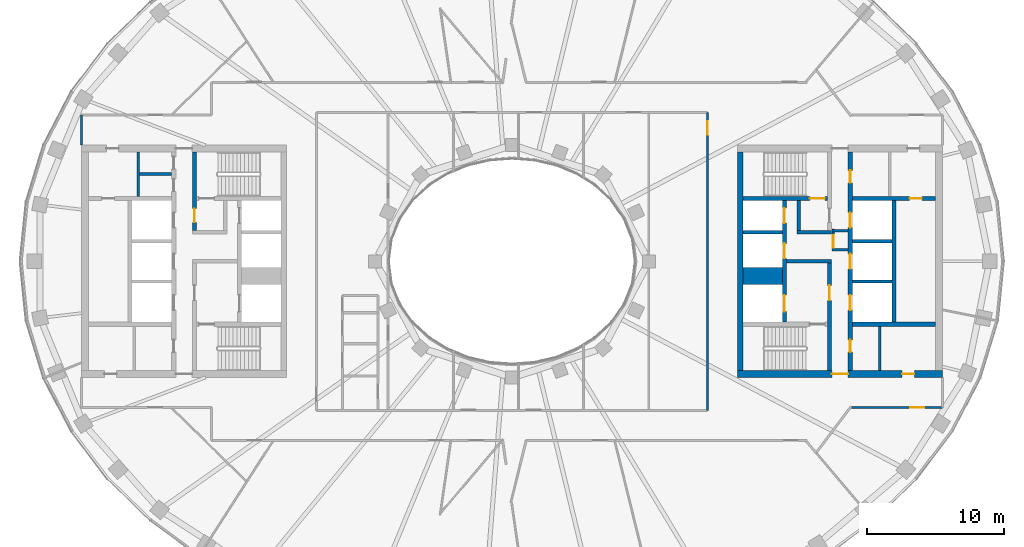
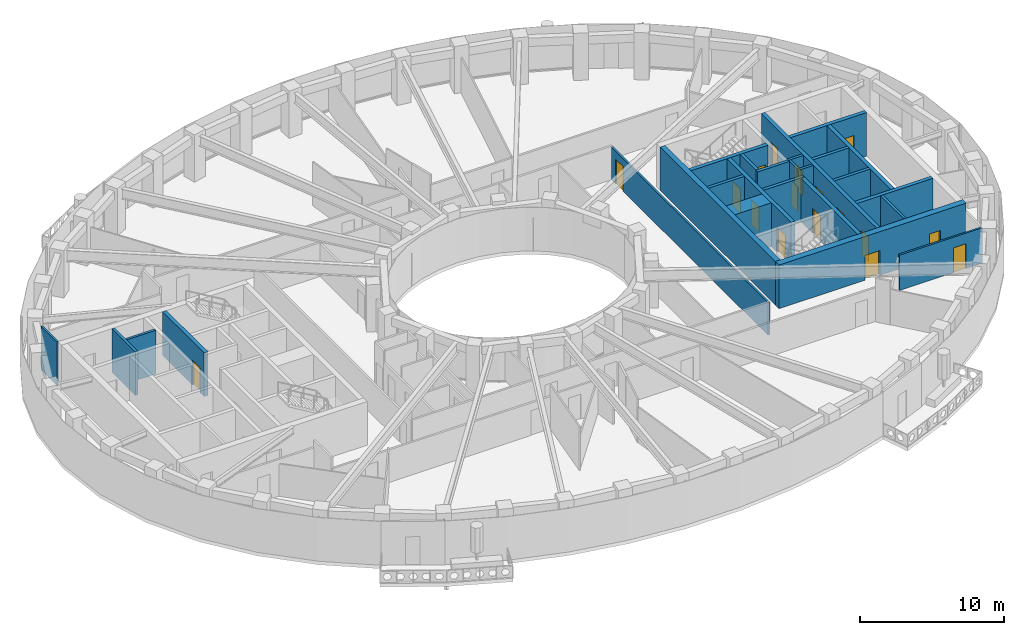
# One storey, part 5 of 15: 26 walls, 17 doors, 17 openings.
"""IFC4 building model written with IfcOpenShell, lengths in metres."""

from ifc_helpers import new_model, si_unit, direction, frame, frame_2d, origin, place, context, subcontext, project, spatial, rectangle, extrude, material, layer, layer_set, type_object, element, fill, save


model = new_model("IFC4")

# Units and contexts
model_context = context("Model", 3, precision=1e-05, world=origin(), true_north=direction((0.0, 1.0)))
body_context = subcontext(model_context, "Body", "Model", "MODEL_VIEW")
ifc_project = project(units=[si_unit("LENGTHUNIT", "METRE"), si_unit("AREAUNIT", "SQUARE_METRE"), si_unit("VOLUMEUNIT", "CUBIC_METRE"), si_unit("PLANEANGLEUNIT", "RADIAN"), si_unit("MASSUNIT", "GRAM", prefix="KILO")], contexts=[model_context])

# Site, building, storey
site_placement = place(None, origin())
site = spatial("IfcSite", under=ifc_project, at=site_placement, CompositionType="ELEMENT")
building_placement = place(site_placement, origin())
building = spatial("IfcBuilding", under=site, at=building_placement, Name="Noorbagh Ring Tower", CompositionType="ELEMENT")
storey_placement = place(building_placement, frame((0.0, 0.0, 265.5)))
storey = spatial("IfcBuildingStorey", under=building, at=storey_placement, Name="L56", CompositionType="ELEMENT", Elevation=265.5)

# Walls
ifc_material_1 = material(Name="Gypsum board on steel studs", Category="steel")
ifc_layer_1 = layer(ifc_material_1, 0.199951171875)
ifc_layer_set_1 = layer_set([ifc_layer_1], Name="Gypsum board on steel studs")
wall_type_1 = type_object("IfcWallType", Name="CORE-PARTITION-200", PredefinedType="PARTITIONING", material=ifc_layer_set_1)
wall_1_placement = place(storey_placement, frame((-27.35009765625, 4.75, 0.0), z_axis=(0.0, 0.0, 1.0), x_axis=(0.0, 1.0, 0.0)))
element("IfcWall", 1, at=wall_1_placement, inside=storey, type_object=wall_type_1, Name="Core partition W", PredefinedType="PARTITIONING", context=body_context, shape_type="SweptSolid", body=[
    extrude(rectangle(XDim=3.25, YDim=0.199951171875, at=frame_2d((1.625, 0.0))), origin(), (0.0, 0.0, 1.0), 3.699951171875),
])
wall_2_placement = place(storey_placement, frame((-24.89990234375, 6.39990234375, 0.0), z_axis=(0.0, 0.0, 1.0), x_axis=(-1.0, 0.0, 0.0)))
element("IfcWall", 2, at=wall_2_placement, inside=storey, type_object=wall_type_1, Name="Core partition W", PredefinedType="PARTITIONING", context=body_context, shape_type="SweptSolid", body=[
    extrude(rectangle(XDim=2.35009765625, YDim=0.199951171875, at=frame_2d((1.175048828125, 0.0))), origin(), (0.0, 0.0, 1.0), 3.699951171875),
])
for number, where, z_axis, x_axis, name in (
    (3, (23.39990234375, 0.85009765625, 0.0), (0.0, 0.0, 1.0), (1.0, 0.0, 0.0), "Core partition E"),
    (4, (23.39990234375, 2.25, 0.0), (0.0, 0.0, 1.0), (1.0, 0.0, 0.0), "Core partition E"),
):
    element("IfcWall", number, at=place(storey_placement, frame(where, z_axis=z_axis, x_axis=x_axis)), inside=storey, type_object=wall_type_1, Name=name, PredefinedType="PARTITIONING", context=body_context, shape_type="SweptSolid", body=[
        extrude(rectangle(XDim=1.2001953125, YDim=0.199951171875, at=frame_2d((0.60009765625, 0.0))), origin(), (0.0, 0.0, 1.0), 3.699951171875),
    ])

# Wall, opening, door
wall_3_placement = place(storey_placement, frame((23.5, 0.75, 0.0), z_axis=(0.0, 0.0, 1.0), x_axis=(0.0, 1.0, 0.0)))
wall_3 = element("IfcWall", 5, at=wall_3_placement, inside=storey, type_object=wall_type_1, Name="Core partition E", PredefinedType="PARTITIONING", context=body_context, shape_type="SweptSolid", body=[
    extrude(rectangle(XDim=1.60009765625, YDim=0.199951171875, at=frame_2d((0.800048828125, 0.0))), origin(), (0.0, 0.0, 1.0), 3.699951171875),
])
opening_1_placement = place(wall_3_placement, frame((0.25, 0.0, 0.0)))
opening_1 = element("IfcOpeningElement", 6, at=opening_1_placement, cuts=wall_3, Name="Opening L56-CE17", PredefinedType="OPENING", context=body_context, shape_type="SweptSolid", body=[
    extrude(rectangle(XDim=0.89990234375, YDim=2.10009765625, at=frame_2d((0.449951171875, 1.050048828125))), frame((0.0, 0.10986328125, 0.0), z_axis=(0.0, -1.0, 0.0), x_axis=(1.0, 0.0, 0.0)), (0.0, 0.0, 1.0), 0.219970703125),
])
ifc_material_2 = material(Name="Steel door leaf", Category="steel")
door_type_1 = type_object("IfcDoorType", Name="CORE-DOOR-DROOM", OperationType="SINGLE_SWING_LEFT", PredefinedType="DOOR", material=ifc_material_2)
door_1_placement = place(opening_1_placement, origin())
door_1 = element("IfcDoor", 7, at=door_1_placement, inside=storey, type_object=door_type_1, Name="Core room door L56-CE17", OperationType="SINGLE_SWING_LEFT", OverallHeight=2.10009765625, OverallWidth=0.89990234375, PredefinedType="DOOR", context=body_context, shape_type="SweptSolid", body=[
    extrude(rectangle(XDim=0.89990234375, YDim=2.10009765625, at=frame_2d((0.449951171875, 1.050048828125))), frame((0.0, 0.02490234375, 0.0), z_axis=(0.0, -1.0, 0.0), x_axis=(1.0, 0.0, 0.0)), (0.0, 0.0, 1.0), 0.050048828125),
])
fill(opening_1, door_1)

# Walls
wall_4_placement = place(storey_placement, frame((26.89990234375, -8.0, 0.0), z_axis=(0.0, 0.0, 1.0), x_axis=(0.0, 1.0, 0.0)))
element("IfcWall", 8, at=wall_4_placement, inside=storey, type_object=wall_type_1, Name="Core partition E", PredefinedType="PARTITIONING", context=body_context, shape_type="SweptSolid", body=[
    extrude(rectangle(XDim=3.25, YDim=0.199951171875, at=frame_2d((1.625, 0.0))), origin(), (0.0, 0.0, 1.0), 3.699951171875),
])
ifc_material_3 = material(Name="Concrete C60/75", Category="concrete")
ifc_layer_2 = layer(ifc_material_3, 1.25)
ifc_layer_set_2 = layer_set([ifc_layer_2], Name="Concrete C60/75")
wall_type_2 = type_object("IfcWallType", Name="CORE-WALL-1250-C60-75-EI120", PredefinedType="SHEAR", material=ifc_layer_set_2)
wall_5_placement = place(storey_placement, frame((16.89990234375, -1.074951171875, 0.0), z_axis=(0.0, 0.0, 1.0), x_axis=(1.0, 0.0, 0.0)))
element("IfcWall", 9, at=wall_5_placement, inside=storey, type_object=wall_type_2, Name="Core wall E", PredefinedType="SHEAR", context=body_context, shape_type="SweptSolid", body=[
    extrude(rectangle(XDim=2.900146484375, YDim=1.25, at=frame_2d((1.4501953125, 0.0))), origin(), (0.0, 0.0, 1.0), 3.699951171875),
])
ifc_material_4 = material(Name="Concrete C60/75", Category="concrete")
ifc_layer_3 = layer(ifc_material_4, 0.25)
ifc_layer_set_3 = layer_set([ifc_layer_3], Name="Concrete C60/75")
wall_type_3 = type_object("IfcWallType", Name="CORE-WALL-250-C60-75-EI120", PredefinedType="SHEAR", material=ifc_layer_set_3)
for number, where, z_axis, x_axis, name in (
    (10, (16.89990234375, 2.125, 0.0), (0.0, 0.0, 1.0), (1.0, 0.0, 0.0), "Core wall E"),
    (11, (24.89990234375, -1.47509765625, 0.0), (0.0, 0.0, 1.0), (1.0, 0.0, 0.0), "Core wall E"),
    (12, (24.89990234375, 1.47509765625, 0.0), (0.0, 0.0, 1.0), (1.0, 0.0, 0.0), "Core wall E"),
):
    element("IfcWall", number, at=place(storey_placement, frame(where, z_axis=z_axis, x_axis=x_axis)), inside=storey, type_object=wall_type_3, Name=name, PredefinedType="SHEAR", context=body_context, shape_type="SweptSolid", body=[
        extrude(rectangle(XDim=2.900146484375, YDim=0.25, at=frame_2d((1.4501953125, 0.0))), origin(), (0.0, 0.0, 1.0), 3.699951171875),
    ])
ifc_material_5 = material(Name="Concrete C60/75", Category="concrete")
ifc_layer_4 = layer(ifc_material_5, 0.25)
ifc_layer_set_4 = layer_set([ifc_layer_4], Name="Concrete C60/75")
wall_type_4 = type_object("IfcWallType", Name="CORE-WALL-250-C60-75-EI240", PredefinedType="SHEAR", material=ifc_layer_set_4)
wall_6_placement = place(storey_placement, frame((20.10009765625, 0.0, 0.0), z_axis=(0.0, 0.0, 1.0), x_axis=(1.0, 0.0, 0.0)))
element("IfcWall", 13, at=wall_6_placement, inside=storey, type_object=wall_type_4, Name="Core wall E", PredefinedType="SHEAR", context=body_context, shape_type="SweptSolid", body=[
    extrude(rectangle(XDim=3.27978515625, YDim=0.25, at=frame_2d((1.639892578125, 0.0))), origin(), (0.0, 0.0, 1.0), 3.699951171875),
])
wall_7_placement = place(storey_placement, frame((20.85009765625, 2.125, 0.0), z_axis=(0.0, 0.0, 1.0), x_axis=(1.0, 0.0, 0.0)))
element("IfcWall", 14, at=wall_7_placement, inside=storey, type_object=wall_type_4, Name="Core wall E", PredefinedType="SHEAR", context=body_context, shape_type="SweptSolid", body=[
    extrude(rectangle(XDim=2.52978515625, YDim=0.25, at=frame_2d((1.264892578125, 0.0))), origin(), (0.0, 0.0, 1.0), 3.699951171875),
])
wall_8_placement = place(storey_placement, frame((20.97509765625, 2.25, 0.0), z_axis=(0.0, 0.0, 1.0), x_axis=(0.0, 1.0, 0.0)))
element("IfcWall", 15, at=wall_8_placement, inside=storey, type_object=wall_type_4, Name="Core wall E", PredefinedType="SHEAR", context=body_context, shape_type="SweptSolid", body=[
    extrude(rectangle(XDim=2.199951171875, YDim=0.25, at=frame_2d((1.10009765625, 0.0))), origin(), (0.0, 0.0, 1.0), 3.699951171875),
])
ifc_material_6 = material(Name="Concrete C60/75", Category="concrete")
ifc_layer_5 = layer(ifc_material_6, 0.300048828125)
ifc_layer_set_5 = layer_set([ifc_layer_5], Name="Concrete C60/75")
wall_type_5 = type_object("IfcWallType", Name="CORE-WALL-300-C60-75-EI120", PredefinedType="SHEAR", material=ifc_layer_set_5)
wall_9_placement = place(storey_placement, frame((27.949951171875, -4.449951171875, 0.0), z_axis=(0.0, 0.0, 1.0), x_axis=(0.0, 1.0, 0.0)))
element("IfcWall", 16, at=wall_9_placement, inside=storey, type_object=wall_type_5, Name="Core wall E", PredefinedType="SHEAR", context=body_context, shape_type="SweptSolid", body=[
    extrude(rectangle(XDim=8.89990234375, YDim=0.300048828125, at=frame_2d((4.449951171875, 0.0))), origin(), (0.0, 0.0, 1.0), 3.699951171875),
])

# Wall, openings, doors
wall_10_placement = place(storey_placement, frame((19.949951171875, -4.449951171875, 0.0), z_axis=(0.0, 0.0, 1.0), x_axis=(0.0, 1.0, 0.0)))
wall_10 = element("IfcWall", 17, at=wall_10_placement, inside=storey, type_object=wall_type_5, Name="Core wall E", PredefinedType="SHEAR", context=body_context, shape_type="SweptSolid", body=[
    extrude(rectangle(XDim=8.89990234375, YDim=0.300048828125, at=frame_2d((4.449951171875, 0.0))), origin(), (0.0, 0.0, 1.0), 3.699951171875),
])
opening_2_placement = place(wall_10_placement, frame((0.77490234375, 0.0, 0.0)))
opening_2 = element("IfcOpeningElement", 18, at=opening_2_placement, cuts=wall_10, Name="Opening L56-CE01", PredefinedType="OPENING", context=body_context, shape_type="SweptSolid", body=[
    extrude(rectangle(XDim=1.199951171875, YDim=2.10009765625, at=frame_2d((0.60009765625, 1.050048828125))), frame((0.0, 0.16015625, 0.0), z_axis=(0.0, -1.0, 0.0), x_axis=(1.0, 0.0, 0.0)), (0.0, 0.0, 1.0), 0.320068359375),
])
opening_3_placement = place(wall_10_placement, frame((4.675048828125, 0.0, 0.0)))
opening_3 = element("IfcOpeningElement", 19, at=opening_3_placement, cuts=wall_10, Name="Opening L56-CE02", PredefinedType="OPENING", context=body_context, shape_type="SweptSolid", body=[
    extrude(rectangle(XDim=1.10009765625, YDim=2.10009765625, at=frame_2d((0.550048828125, 1.050048828125))), frame((0.0, 0.16015625, 0.0), z_axis=(0.0, -1.0, 0.0), x_axis=(1.0, 0.0, 0.0)), (0.0, 0.0, 1.0), 0.320068359375),
])
opening_4_placement = place(wall_10_placement, frame((7.25, 0.0, 0.0)))
opening_4 = element("IfcOpeningElement", 20, at=opening_4_placement, cuts=wall_10, Name="Opening L56-CE03", PredefinedType="OPENING", context=body_context, shape_type="SweptSolid", body=[
    extrude(rectangle(XDim=1.10009765625, YDim=2.10009765625, at=frame_2d((0.550048828125, 1.050048828125))), frame((0.0, 0.16015625, 0.0), z_axis=(0.0, -1.0, 0.0), x_axis=(1.0, 0.0, 0.0)), (0.0, 0.0, 1.0), 0.320068359375),
])
ifc_material_7 = material(Name="Steel door leaf", Category="steel")
door_type_2 = type_object("IfcDoorType", Name="CORE-DOOR-LD", OperationType="DOUBLE_DOOR_SLIDING", PredefinedType="DOOR", material=ifc_material_7)
door_2_placement = place(opening_3_placement, origin())
door_2 = element("IfcDoor", 21, at=door_2_placement, inside=storey, type_object=door_type_2, Name="Landing door HR7 L56-CE02", OperationType="DOUBLE_DOOR_SLIDING", OverallHeight=2.10009765625, OverallWidth=1.10009765625, PredefinedType="DOOR", context=body_context, shape_type="SweptSolid", body=[
    extrude(rectangle(XDim=1.10009765625, YDim=2.10009765625, at=frame_2d((0.550048828125, 1.050048828125))), frame((0.0, 0.02490234375, 0.0), z_axis=(0.0, -1.0, 0.0), x_axis=(1.0, 0.0, 0.0)), (0.0, 0.0, 1.0), 0.050048828125),
])
fill(opening_3, door_2)
door_3_placement = place(opening_4_placement, origin())
door_3 = element("IfcDoor", 22, at=door_3_placement, inside=storey, type_object=door_type_2, Name="Landing door HR8 L56-CE03", OperationType="DOUBLE_DOOR_SLIDING", OverallHeight=2.10009765625, OverallWidth=1.10009765625, PredefinedType="DOOR", context=body_context, shape_type="SweptSolid", body=[
    extrude(rectangle(XDim=1.10009765625, YDim=2.10009765625, at=frame_2d((0.550048828125, 1.050048828125))), frame((0.0, 0.02490234375, 0.0), z_axis=(0.0, -1.0, 0.0), x_axis=(1.0, 0.0, 0.0)), (0.0, 0.0, 1.0), 0.050048828125),
])
fill(opening_4, door_3)
ifc_material_8 = material(Name="Steel door leaf", Category="steel")
door_type_3 = type_object("IfcDoorType", Name="CORE-DOOR-LDW", OperationType="DOUBLE_DOOR_SLIDING", PredefinedType="DOOR", material=ifc_material_8)
door_4_placement = place(opening_2_placement, origin())
door_4 = element("IfcDoor", 23, at=door_4_placement, inside=storey, type_object=door_type_3, Name="Landing door FF2 L56-CE01", OperationType="DOUBLE_DOOR_SLIDING", OverallHeight=2.10009765625, OverallWidth=1.199951171875, PredefinedType="DOOR", context=body_context, shape_type="SweptSolid", body=[
    extrude(rectangle(XDim=1.199951171875, YDim=2.10009765625, at=frame_2d((0.60009765625, 1.050048828125))), frame((0.0, 0.02490234375, 0.0), z_axis=(0.0, -1.0, 0.0), x_axis=(1.0, 0.0, 0.0)), (0.0, 0.0, 1.0), 0.050048828125),
])
fill(opening_2, door_4)

wall_11_placement = place(storey_placement, frame((24.75, -8.0, 0.0), z_axis=(0.0, 0.0, 1.0), x_axis=(0.0, 1.0, 0.0)))
wall_11 = element("IfcWall", 24, at=wall_11_placement, inside=storey, type_object=wall_type_5, Name="Core wall E", PredefinedType="SHEAR", context=body_context, shape_type="SweptSolid", body=[
    extrude(rectangle(XDim=16.0, YDim=0.300048828125, at=frame_2d((8.0, 0.0))), origin(), (0.0, 0.0, 1.0), 3.699951171875),
])
opening_5_placement = place(wall_11_placement, frame((4.425048828125, 0.0, 0.0)))
opening_5 = element("IfcOpeningElement", 25, at=opening_5_placement, cuts=wall_11, Name="Opening L56-CE04", PredefinedType="OPENING", context=body_context, shape_type="SweptSolid", body=[
    extrude(rectangle(XDim=1.10009765625, YDim=2.10009765625, at=frame_2d((0.550048828125, 1.050048828125))), frame((0.0, 0.16015625, 0.0), z_axis=(0.0, -1.0, 0.0), x_axis=(1.0, 0.0, 0.0)), (0.0, 0.0, 1.0), 0.320068359375),
])
opening_6_placement = place(wall_11_placement, frame((7.449951171875, 0.0, 0.0)))
opening_6 = element("IfcOpeningElement", 26, at=opening_6_placement, cuts=wall_11, Name="Opening L56-CE05", PredefinedType="OPENING", context=body_context, shape_type="SweptSolid", body=[
    extrude(rectangle(XDim=1.10009765625, YDim=2.10009765625, at=frame_2d((0.550048828125, 1.050048828125))), frame((0.0, 0.16015625, 0.0), z_axis=(0.0, -1.0, 0.0), x_axis=(1.0, 0.0, 0.0)), (0.0, 0.0, 1.0), 0.320068359375),
])
opening_7_placement = place(wall_11_placement, frame((10.47509765625, 0.0, 0.0)))
opening_7 = element("IfcOpeningElement", 27, at=opening_7_placement, cuts=wall_11, Name="Opening L56-CE06", PredefinedType="OPENING", context=body_context, shape_type="SweptSolid", body=[
    extrude(rectangle(XDim=1.10009765625, YDim=2.10009765625, at=frame_2d((0.550048828125, 1.050048828125))), frame((0.0, 0.16015625, 0.0), z_axis=(0.0, -1.0, 0.0), x_axis=(1.0, 0.0, 0.0)), (0.0, 0.0, 1.0), 0.320068359375),
])
opening_8_placement = place(wall_11_placement, frame((13.75, 0.0, 0.0)))
opening_8 = element("IfcOpeningElement", 28, at=opening_8_placement, cuts=wall_11, Name="Opening L56-CE13", PredefinedType="OPENING", context=body_context, shape_type="SweptSolid", body=[
    extrude(rectangle(XDim=0.89990234375, YDim=2.10009765625, at=frame_2d((0.449951171875, 1.050048828125))), frame((0.0, 0.16015625, 0.0), z_axis=(0.0, -1.0, 0.0), x_axis=(1.0, 0.0, 0.0)), (0.0, 0.0, 1.0), 0.320068359375),
])
opening_9_placement = place(wall_11_placement, frame((1.35009765625, 0.0, 0.0)))
opening_9 = element("IfcOpeningElement", 29, at=opening_9_placement, cuts=wall_11, Name="Opening L56-CE15", PredefinedType="OPENING", context=body_context, shape_type="SweptSolid", body=[
    extrude(rectangle(XDim=0.89990234375, YDim=2.10009765625, at=frame_2d((0.449951171875, 1.050048828125))), frame((0.0, 0.16015625, 0.0), z_axis=(0.0, -1.0, 0.0), x_axis=(1.0, 0.0, 0.0)), (0.0, 0.0, 1.0), 0.320068359375),
])
door_5_placement = place(opening_8_placement, origin())
door_5 = element("IfcDoor", 30, at=door_5_placement, inside=storey, type_object=door_type_1, Name="Core room door L56-CE13", OperationType="SINGLE_SWING_LEFT", OverallHeight=2.10009765625, OverallWidth=0.89990234375, PredefinedType="DOOR", context=body_context, shape_type="SweptSolid", body=[
    extrude(rectangle(XDim=0.89990234375, YDim=2.10009765625, at=frame_2d((0.449951171875, 1.050048828125))), frame((0.0, 0.02490234375, 0.0), z_axis=(0.0, -1.0, 0.0), x_axis=(1.0, 0.0, 0.0)), (0.0, 0.0, 1.0), 0.050048828125),
])
fill(opening_8, door_5)
door_6_placement = place(opening_9_placement, origin())
door_6 = element("IfcDoor", 31, at=door_6_placement, inside=storey, type_object=door_type_1, Name="Core room door L56-CE15", OperationType="SINGLE_SWING_RIGHT", OverallHeight=2.10009765625, OverallWidth=0.89990234375, PredefinedType="DOOR", context=body_context, shape_type="SweptSolid", body=[
    extrude(rectangle(XDim=0.89990234375, YDim=2.10009765625, at=frame_2d((0.449951171875, 1.050048828125))), frame((0.0, 0.02490234375, 0.0), z_axis=(0.0, -1.0, 0.0), x_axis=(1.0, 0.0, 0.0)), (0.0, 0.0, 1.0), 0.050048828125),
])
fill(opening_9, door_6)
door_7_placement = place(opening_5_placement, origin())
door_7 = element("IfcDoor", 32, at=door_7_placement, inside=storey, type_object=door_type_2, Name="Landing door HR9 L56-CE04", OperationType="DOUBLE_DOOR_SLIDING", OverallHeight=2.10009765625, OverallWidth=1.10009765625, PredefinedType="DOOR", context=body_context, shape_type="SweptSolid", body=[
    extrude(rectangle(XDim=1.10009765625, YDim=2.10009765625, at=frame_2d((0.550048828125, 1.050048828125))), frame((0.0, 0.02490234375, 0.0), z_axis=(0.0, -1.0, 0.0), x_axis=(1.0, 0.0, 0.0)), (0.0, 0.0, 1.0), 0.050048828125),
])
fill(opening_5, door_7)
door_8_placement = place(opening_6_placement, origin())
door_8 = element("IfcDoor", 33, at=door_8_placement, inside=storey, type_object=door_type_2, Name="Landing door HR10 L56-CE05", OperationType="DOUBLE_DOOR_SLIDING", OverallHeight=2.10009765625, OverallWidth=1.10009765625, PredefinedType="DOOR", context=body_context, shape_type="SweptSolid", body=[
    extrude(rectangle(XDim=1.10009765625, YDim=2.10009765625, at=frame_2d((0.550048828125, 1.050048828125))), frame((0.0, 0.02490234375, 0.0), z_axis=(0.0, -1.0, 0.0), x_axis=(1.0, 0.0, 0.0)), (0.0, 0.0, 1.0), 0.050048828125),
])
fill(opening_6, door_8)
door_9_placement = place(opening_7_placement, origin())
door_9 = element("IfcDoor", 34, at=door_9_placement, inside=storey, type_object=door_type_2, Name="Landing door HR11 L56-CE06", OperationType="DOUBLE_DOOR_SLIDING", OverallHeight=2.10009765625, OverallWidth=1.10009765625, PredefinedType="DOOR", context=body_context, shape_type="SweptSolid", body=[
    extrude(rectangle(XDim=1.10009765625, YDim=2.10009765625, at=frame_2d((0.550048828125, 1.050048828125))), frame((0.0, 0.02490234375, 0.0), z_axis=(0.0, -1.0, 0.0), x_axis=(1.0, 0.0, 0.0)), (0.0, 0.0, 1.0), 0.050048828125),
])
fill(opening_7, door_9)

# Wall, opening, door
ifc_material_9 = material(Name="Concrete C60/75", Category="concrete")
ifc_layer_6 = layer(ifc_material_9, 0.300048828125)
ifc_layer_set_6 = layer_set([ifc_layer_6], Name="Concrete C60/75")
wall_type_6 = type_object("IfcWallType", Name="CORE-WALL-300-C60-75-EI240", PredefinedType="SHEAR", material=ifc_layer_set_6)
wall_12_placement = place(storey_placement, frame((-23.22998046875, 2.25, 0.0), z_axis=(0.0, 0.0, 1.0), x_axis=(0.0, 1.0, 0.0)))
wall_12 = element("IfcWall", 35, at=wall_12_placement, inside=storey, type_object=wall_type_6, Name="Core wall W", PredefinedType="SHEAR", context=body_context, shape_type="SweptSolid", body=[
    extrude(rectangle(XDim=5.75, YDim=0.300048828125, at=frame_2d((2.875, 0.0))), origin(), (0.0, 0.0, 1.0), 3.699951171875),
])
opening_10_placement = place(wall_12_placement, frame((0.60009765625, 0.0, 0.0)))
opening_10 = element("IfcOpeningElement", 36, at=opening_10_placement, cuts=wall_12, Name="Opening L56-CW09", PredefinedType="OPENING", context=body_context, shape_type="SweptSolid", body=[
    extrude(rectangle(XDim=1.0, YDim=2.10009765625, at=frame_2d((0.5, 1.050048828125))), frame((0.0, 0.16015625, 0.0), z_axis=(0.0, -1.0, 0.0), x_axis=(1.0, 0.0, 0.0)), (0.0, 0.0, 1.0), 0.320068359375),
])
ifc_material_10 = material(Name="Steel door leaf", Category="steel")
door_type_4 = type_object("IfcDoorType", Name="CORE-DOOR-DVEST", OperationType="SINGLE_SWING_LEFT", PredefinedType="DOOR", material=ifc_material_10)
door_10_placement = place(opening_10_placement, origin())
door_10 = element("IfcDoor", 37, at=door_10_placement, inside=storey, type_object=door_type_4, Name="Stair vestibule door L56-CW09", OperationType="SINGLE_SWING_LEFT", OverallHeight=2.10009765625, OverallWidth=1.0, PredefinedType="DOOR", context=body_context, shape_type="SweptSolid", body=[
    extrude(rectangle(XDim=1.0, YDim=2.10009765625, at=frame_2d((0.5, 1.050048828125))), frame((0.0, 0.02490234375, 0.0), z_axis=(0.0, -1.0, 0.0), x_axis=(1.0, 0.0, 0.0)), (0.0, 0.0, 1.0), 0.050048828125),
])
fill(opening_10, door_10)

wall_13_placement = place(storey_placement, frame((24.89990234375, 4.60009765625, 0.0), z_axis=(0.0, 0.0, 1.0), x_axis=(1.0, 0.0, 0.0)))
wall_13 = element("IfcWall", 38, at=wall_13_placement, inside=storey, type_object=wall_type_6, Name="Core wall E", PredefinedType="SHEAR", context=body_context, shape_type="SweptSolid", body=[
    extrude(rectangle(XDim=6.10009765625, YDim=0.300048828125, at=frame_2d((3.050048828125, 0.0))), origin(), (0.0, 0.0, 1.0), 3.699951171875),
])
opening_11_placement = place(wall_13_placement, frame((4.199951171875, 0.0, 0.0)))
opening_11 = element("IfcOpeningElement", 39, at=opening_11_placement, cuts=wall_13, Name="Opening L56-CE18", PredefinedType="OPENING", context=body_context, shape_type="SweptSolid", body=[
    extrude(rectangle(XDim=0.89990234375, YDim=2.10009765625, at=frame_2d((0.449951171875, 1.050048828125))), frame((0.0, 0.16015625, 0.0), z_axis=(0.0, -1.0, 0.0), x_axis=(1.0, 0.0, 0.0)), (0.0, 0.0, 1.0), 0.320068359375),
])
door_11_placement = place(opening_11_placement, origin())
door_11 = element("IfcDoor", 40, at=door_11_placement, inside=storey, type_object=door_type_1, Name="Core room door L56-CE18", OperationType="SINGLE_SWING_RIGHT", OverallHeight=2.10009765625, OverallWidth=0.89990234375, PredefinedType="DOOR", context=body_context, shape_type="SweptSolid", body=[
    extrude(rectangle(XDim=0.89990234375, YDim=2.10009765625, at=frame_2d((0.449951171875, 1.050048828125))), frame((0.0, 0.02490234375, 0.0), z_axis=(0.0, -1.0, 0.0), x_axis=(1.0, 0.0, 0.0)), (0.0, 0.0, 1.0), 0.050048828125),
])
fill(opening_11, door_11)

# Wall
wall_14_placement = place(storey_placement, frame((24.89990234375, -4.60009765625, 0.0), z_axis=(0.0, 0.0, 1.0), x_axis=(1.0, 0.0, 0.0)))
element("IfcWall", 41, at=wall_14_placement, inside=storey, type_object=wall_type_6, Name="Core wall E", PredefinedType="SHEAR", context=body_context, shape_type="SweptSolid", body=[
    extrude(rectangle(XDim=6.10009765625, YDim=0.300048828125, at=frame_2d((3.050048828125, 0.0))), origin(), (0.0, 0.0, 1.0), 3.699951171875),
])

# Wall, opening, door
wall_15_placement = place(storey_placement, frame((23.22998046875, -8.0, 0.0), z_axis=(0.0, 0.0, 1.0), x_axis=(0.0, 1.0, 0.0)))
wall_15 = element("IfcWall", 42, at=wall_15_placement, inside=storey, type_object=wall_type_6, Name="Core wall E", PredefinedType="SHEAR", context=body_context, shape_type="SweptSolid", body=[
    extrude(rectangle(XDim=7.875, YDim=0.300048828125, at=frame_2d((3.9375, 0.0))), origin(), (0.0, 0.0, 1.0), 3.699951171875),
])
opening_12_placement = place(wall_15_placement, frame((5.14990234375, 0.0, 0.0)))
opening_12 = element("IfcOpeningElement", 43, at=opening_12_placement, cuts=wall_15, Name="Opening L56-CE09", PredefinedType="OPENING", context=body_context, shape_type="SweptSolid", body=[
    extrude(rectangle(XDim=1.10009765625, YDim=2.10009765625, at=frame_2d((0.550048828125, 1.050048828125))), frame((0.0, 0.16015625, 0.0), z_axis=(0.0, -1.0, 0.0), x_axis=(1.0, 0.0, 0.0)), (0.0, 0.0, 1.0), 0.320068359375),
])
ifc_material_11 = material(Name="Steel door leaf", Category="steel")
door_type_5 = type_object("IfcDoorType", Name="CORE-DOOR-DFF", OperationType="SINGLE_SWING_LEFT", PredefinedType="DOOR", material=ifc_material_11)
door_12_placement = place(opening_12_placement, origin())
door_12 = element("IfcDoor", 44, at=door_12_placement, inside=storey, type_object=door_type_5, Name="Firefighting lobby door L56-CE09", OperationType="SINGLE_SWING_RIGHT", OverallHeight=2.10009765625, OverallWidth=1.10009765625, PredefinedType="DOOR", context=body_context, shape_type="SweptSolid", body=[
    extrude(rectangle(XDim=1.10009765625, YDim=2.10009765625, at=frame_2d((0.550048828125, 1.050048828125))), frame((0.0, 0.02490234375, 0.0), z_axis=(0.0, -1.0, 0.0), x_axis=(1.0, 0.0, 0.0)), (0.0, 0.0, 1.0), 0.050048828125),
])
fill(opening_12, door_12)

wall_16_placement = place(storey_placement, frame((16.89990234375, 4.60009765625, 0.0), z_axis=(0.0, 0.0, 1.0), x_axis=(1.0, 0.0, 0.0)))
wall_16 = element("IfcWall", 45, at=wall_16_placement, inside=storey, type_object=wall_type_6, Name="Core wall E", PredefinedType="SHEAR", context=body_context, shape_type="SweptSolid", body=[
    extrude(rectangle(XDim=6.18017578125, YDim=0.300048828125, at=frame_2d((3.090087890625, 0.0))), origin(), (0.0, 0.0, 1.0), 3.699951171875),
])
opening_13_placement = place(wall_16_placement, frame((4.89990234375, 0.0, 0.0)))
opening_13 = element("IfcOpeningElement", 46, at=opening_13_placement, cuts=wall_16, Name="Opening L56-CE07", PredefinedType="OPENING", context=body_context, shape_type="SweptSolid", body=[
    extrude(rectangle(XDim=1.10009765625, YDim=2.10009765625, at=frame_2d((0.550048828125, 1.050048828125))), frame((0.0, 0.16015625, 0.0), z_axis=(0.0, -1.0, 0.0), x_axis=(1.0, 0.0, 0.0)), (0.0, 0.0, 1.0), 0.320068359375),
])
ifc_material_12 = material(Name="Steel door leaf", Category="steel")
door_type_6 = type_object("IfcDoorType", Name="CORE-DOOR-DSTAIR", OperationType="SINGLE_SWING_LEFT", PredefinedType="DOOR", material=ifc_material_12)
door_13_placement = place(opening_13_placement, origin())
door_13 = element("IfcDoor", 47, at=door_13_placement, inside=storey, type_object=door_type_6, Name="Stair door ST3 L56-CE07", OperationType="SINGLE_SWING_LEFT", OverallHeight=2.10009765625, OverallWidth=1.10009765625, PredefinedType="DOOR", context=body_context, shape_type="SweptSolid", body=[
    extrude(rectangle(XDim=1.10009765625, YDim=2.10009765625, at=frame_2d((0.550048828125, 1.050048828125))), frame((0.0, 0.02490234375, 0.0), z_axis=(0.0, -1.0, 0.0), x_axis=(1.0, 0.0, 0.0)), (0.0, 0.0, 1.0), 0.050048828125),
])
fill(opening_13, door_13)

# Wall
ifc_material_13 = material(Name="Concrete C60/75", Category="concrete")
ifc_layer_7 = layer(ifc_material_13, 0.39990234375)
ifc_layer_set_7 = layer_set([ifc_layer_7], Name="Concrete C60/75")
wall_type_7 = type_object("IfcWallType", Name="CORE-WALL-400-C60-75-EI240", PredefinedType="SHEAR", material=ifc_layer_set_7)
wall_17_placement = place(storey_placement, frame((16.699951171875, -8.0, 0.0), z_axis=(0.0, 0.0, 1.0), x_axis=(0.0, 1.0, 0.0)))
element("IfcWall", 48, at=wall_17_placement, inside=storey, type_object=wall_type_7, Name="Core wall E", PredefinedType="SHEAR", context=body_context, shape_type="SweptSolid", body=[
    extrude(rectangle(XDim=16.0, YDim=0.39990234375, at=frame_2d((8.0, 0.0))), origin(), (0.0, 0.0, 1.0), 3.699951171875),
])

# Wall, openings, doors
ifc_material_14 = material(Name="Concrete C60/75", Category="concrete")
ifc_layer_8 = layer(ifc_material_14, 0.5)
ifc_layer_set_8 = layer_set([ifc_layer_8], Name="Concrete C60/75")
wall_type_8 = type_object("IfcWallType", Name="CORE-WALL-500-C60-75-EI240", PredefinedType="SHEAR", material=ifc_layer_set_8)
wall_18_placement = place(storey_placement, frame((16.5, -8.25, 0.0), z_axis=(0.0, 0.0, 1.0), x_axis=(1.0, 0.0, 0.0)))
wall_18 = element("IfcWall", 49, at=wall_18_placement, inside=storey, type_object=wall_type_8, Name="Core wall E", PredefinedType="SHEAR", context=body_context, shape_type="SweptSolid", body=[
    extrude(rectangle(XDim=15.0, YDim=0.5, at=frame_2d((7.5, 0.0))), origin(), (0.0, 0.0, 1.0), 3.699951171875),
])
opening_14_placement = place(wall_18_placement, frame((6.89990234375, 0.0, 0.0)))
opening_14 = element("IfcOpeningElement", 50, at=opening_14_placement, cuts=wall_18, Name="Opening L56-CE12", PredefinedType="OPENING", context=body_context, shape_type="SweptSolid", body=[
    extrude(rectangle(XDim=1.199951171875, YDim=2.10009765625, at=frame_2d((0.60009765625, 1.050048828125))), frame((0.0, 0.260009765625, 0.0), z_axis=(0.0, -1.0, 0.0), x_axis=(1.0, 0.0, 0.0)), (0.0, 0.0, 1.0), 0.52001953125),
])
opening_15_placement = place(wall_18_placement, frame((12.050048828125, 0.0, 0.0)))
opening_15 = element("IfcOpeningElement", 51, at=opening_15_placement, cuts=wall_18, Name="Opening L56-CE16", PredefinedType="OPENING", context=body_context, shape_type="SweptSolid", body=[
    extrude(rectangle(XDim=0.89990234375, YDim=2.10009765625, at=frame_2d((0.449951171875, 1.050048828125))), frame((0.0, 0.260009765625, 0.0), z_axis=(0.0, -1.0, 0.0), x_axis=(1.0, 0.0, 0.0)), (0.0, 0.0, 1.0), 0.52001953125),
])
door_14_placement = place(opening_15_placement, origin())
door_14 = element("IfcDoor", 52, at=door_14_placement, inside=storey, type_object=door_type_1, Name="Core room door L56-CE16", OperationType="SINGLE_SWING_RIGHT", OverallHeight=2.10009765625, OverallWidth=0.89990234375, PredefinedType="DOOR", context=body_context, shape_type="SweptSolid", body=[
    extrude(rectangle(XDim=0.89990234375, YDim=2.10009765625, at=frame_2d((0.449951171875, 1.050048828125))), frame((0.0, 0.02490234375, 0.0), z_axis=(0.0, -1.0, 0.0), x_axis=(1.0, 0.0, 0.0)), (0.0, 0.0, 1.0), 0.050048828125),
])
fill(opening_15, door_14)
ifc_material_15 = material(Name="Steel door leaf", Category="steel")
door_type_7 = type_object("IfcDoorType", Name="CORE-DOOR-PORT", OperationType="DOUBLE_DOOR_DOUBLE_SWING", PredefinedType="DOOR", material=ifc_material_15)
door_15_placement = place(opening_14_placement, origin())
door_15 = element("IfcDoor", 53, at=door_15_placement, inside=storey, type_object=door_type_7, Name="Core entrance door L56-CE12", OperationType="DOUBLE_DOOR_DOUBLE_SWING", OverallHeight=2.10009765625, OverallWidth=1.199951171875, PredefinedType="DOOR", context=body_context, shape_type="SweptSolid", body=[
    extrude(rectangle(XDim=1.199951171875, YDim=2.10009765625, at=frame_2d((0.60009765625, 1.050048828125))), frame((0.0, 0.02490234375, 0.0), z_axis=(0.0, -1.0, 0.0), x_axis=(1.0, 0.0, 0.0)), (0.0, 0.0, 1.0), 0.050048828125),
])
fill(opening_14, door_15)

# Wall
ifc_material_16 = material(Name="Gypsum board on steel studs", Category="steel")
ifc_layer_9 = layer(ifc_material_16, 0.14990234375)
ifc_layer_set_9 = layer_set([ifc_layer_9], Name="Gypsum board on steel studs")
wall_type_9 = type_object("IfcWallType", Name="CORRIDOR PARTITION 150 EI 30", PredefinedType="PARTITIONING", material=ifc_layer_set_9)
wall_19_placement = place(storey_placement, frame((-31.5, 8.5, 0.0), z_axis=(0.0, 0.0, 1.0), x_axis=(0.0, 1.0, 0.0)))
element("IfcWall", 54, at=wall_19_placement, inside=storey, type_object=wall_type_9, Name="L56/wall/P04", PredefinedType="PARTITIONING", context=body_context, shape_type="SweptSolid", body=[
    extrude(rectangle(XDim=2.199951171875, YDim=0.14990234375, at=frame_2d((1.10009765625, 0.0))), origin(), (0.0, 0.0, 1.0), 3.699951171875),
])

# Wall, opening, door
wall_20_placement = place(storey_placement, frame((14.300048828125, -10.89990234375, 0.0), z_axis=(0.0, 0.0, 1.0), x_axis=(0.0, 1.0, 0.0)))
wall_20 = element("IfcWall", 55, at=wall_20_placement, inside=storey, type_object=wall_type_9, Name="L56/wall/P54", PredefinedType="PARTITIONING", context=body_context, shape_type="SweptSolid", body=[
    extrude(rectangle(XDim=21.7998046875, YDim=0.14990234375, at=frame_2d((10.89990234375, 0.0))), origin(), (0.0, 0.0, 1.0), 2.75),
])
opening_16_placement = place(wall_20_placement, frame((20.14990234375, 0.0, 0.0)))
opening_16 = element("IfcOpeningElement", 56, at=opening_16_placement, cuts=wall_20, Name="Opening D1", PredefinedType="OPENING", context=body_context, shape_type="SweptSolid", body=[
    extrude(rectangle(XDim=1.0, YDim=2.10009765625, at=frame_2d((0.5, 1.050048828125))), frame((0.0, 0.0849609375, 0.0), z_axis=(0.0, -1.0, 0.0), x_axis=(1.0, 0.0, 0.0)), (0.0, 0.0, 1.0), 0.169921875),
])
ifc_material_17 = material(Name="Timber, painted", Category="wood")
door_type_8 = type_object("IfcDoorType", Name="DOOR 1000 X 2100 FD30", OperationType="SINGLE_SWING_LEFT", PredefinedType="DOOR", material=ifc_material_17)
door_16_placement = place(opening_16_placement, origin())
door_16 = element("IfcDoor", 57, at=door_16_placement, inside=storey, type_object=door_type_8, Name="L56-D27", OperationType="SINGLE_SWING_LEFT", OverallHeight=2.10009765625, OverallWidth=1.0, PredefinedType="DOOR", context=body_context, shape_type="SweptSolid", body=[
    extrude(rectangle(XDim=1.0, YDim=2.10009765625, at=frame_2d((0.5, 1.050048828125))), frame((0.0, 0.02490234375, 0.0), z_axis=(0.0, -1.0, 0.0), x_axis=(1.0, 0.0, 0.0)), (0.0, 0.0, 1.0), 0.050048828125),
])
fill(opening_16, door_16)

wall_21_placement = place(storey_placement, frame((24.844970703125, -10.699951171875, 0.0), z_axis=(0.0, 0.0, 1.0), x_axis=(1.0, 0.0, 0.0)))
wall_21 = element("IfcWall", 58, at=wall_21_placement, inside=storey, type_object=wall_type_9, Name="L56/wall/P61", PredefinedType="PARTITIONING", context=body_context, shape_type="SweptSolid", body=[
    extrude(rectangle(XDim=6.655029296875, YDim=0.14990234375, at=frame_2d((3.32763671875, 0.0))), origin(), (0.0, 0.0, 1.0), 3.0),
])
opening_17_placement = place(wall_21_placement, frame((4.305908203125, 0.0, 0.0)))
opening_17 = element("IfcOpeningElement", 59, at=opening_17_placement, cuts=wall_21, Name="Opening D1", PredefinedType="OPENING", context=body_context, shape_type="SweptSolid", body=[
    extrude(rectangle(XDim=1.0, YDim=2.10009765625, at=frame_2d((0.5, 1.050048828125))), frame((0.0, 0.0849609375, 0.0), z_axis=(0.0, -1.0, 0.0), x_axis=(1.0, 0.0, 0.0)), (0.0, 0.0, 1.0), 0.169921875),
])
door_17_placement = place(opening_17_placement, origin())
door_17 = element("IfcDoor", 60, at=door_17_placement, inside=storey, type_object=door_type_8, Name="L56-D18", OperationType="SINGLE_SWING_RIGHT", OverallHeight=2.10009765625, OverallWidth=1.0, PredefinedType="DOOR", context=body_context, shape_type="SweptSolid", body=[
    extrude(rectangle(XDim=1.0, YDim=2.10009765625, at=frame_2d((0.5, 1.050048828125))), frame((0.0, 0.02490234375, 0.0), z_axis=(0.0, -1.0, 0.0), x_axis=(1.0, 0.0, 0.0)), (0.0, 0.0, 1.0), 0.050048828125),
])
fill(opening_17, door_17)

save(model, "model.ifc")
